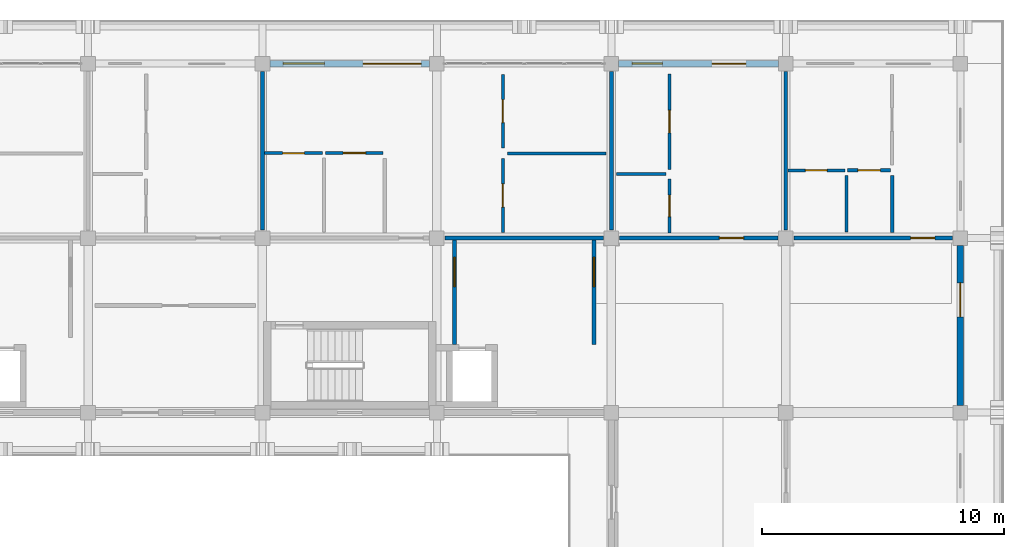
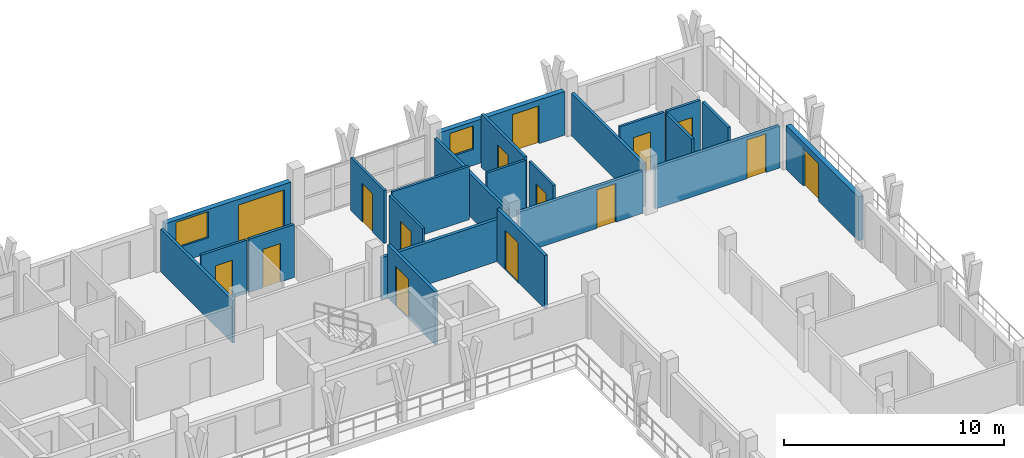
# One storey, part 60 of 78: 23 walls, 15 doors, 2 windows, 17 openings.
"""IFC4 building model written with IfcOpenShell, lengths in metres."""

import ifcopenshell
import ifcopenshell.guid

model = None  # the IFC model being written
_history = None  # IfcOwnerHistory: only IFC2X3 demands one
_inside = {}  # id of a spatial element -> (the spatial element, [elements in it])
_under = {}  # id of a project, library or spatial element -> (it, [spatial elements below it])
_declared = {}  # id of a project -> (the project, [libraries it declares])
_typed = {}  # id of a type object -> (the type object, [elements of that type])
_made_of = {}  # id of a material, layer set ... -> (it, [elements and type objects made of it])


def new_model(schema):
    """Start an empty IFC model of exactly this schema.

    Asked for "IFC4X3", IfcOpenShell would pick the latest addendum, in which some entities
    have other attributes; the version numbers below select the first issue.
    IFC2X3 requires an IfcOwnerHistory on every rooted entity: one is made here for all.
    """
    global model, _history
    if schema == "IFC4X3":
        model = ifcopenshell.file(schema_version=(4, 3, 0, 0))
    else:
        model = ifcopenshell.file(schema=schema)
    _inside.clear()
    _under.clear()
    _declared.clear()
    _typed.clear()
    _made_of.clear()
    _history = None
    if model.schema == "IFC2X3":
        org = make("IfcOrganization", Name="unknown")
        user = make(
            "IfcPersonAndOrganization",
            ThePerson=make("IfcPerson", FamilyName="unknown"),
            TheOrganization=org,
        )
        app = make(
            "IfcApplication",
            ApplicationDeveloper=org,
            Version="unknown",
            ApplicationFullName="unknown",
            ApplicationIdentifier="unknown",
        )
        _history = make(
            "IfcOwnerHistory",
            OwningUser=user,
            OwningApplication=app,
            ChangeAction="ADDED",
            CreationDate=0,
        )
    return model


def make(cls, **values):
    """One entity of the class cls with the attributes given. An attribute that is None is left unset."""
    return model.create_entity(
        cls, **{name: value for name, value in values.items() if value is not None}
    )


def rooted(cls, **values):
    """An entity with a GlobalId (a new one), such as an element, a storey or a relation."""
    return make(cls, GlobalId=ifcopenshell.guid.new(), OwnerHistory=_history, **values)


def si_unit(unit_type, name, prefix=None):
    """IfcSIUnit, for example si_unit("LENGTHUNIT", "METRE", prefix="MILLI")."""
    return make("IfcSIUnit", UnitType=unit_type, Prefix=prefix, Name=name)


def assignment(units):
    """IfcUnitAssignment: the units of a project."""
    return None if units is None else make("IfcUnitAssignment", Units=units)


def point(xyz):
    """IfcCartesianPoint."""
    return None if xyz is None else make("IfcCartesianPoint", Coordinates=xyz)


def direction(xyz):
    """IfcDirection."""
    return None if xyz is None else make("IfcDirection", DirectionRatios=xyz)


def frame(location, z_axis=None, x_axis=None):
    """IfcAxis2Placement3D, a coordinate frame: its origin and axes. An axis left out is left unset."""
    return make(
        "IfcAxis2Placement3D",
        Location=point(location),
        Axis=direction(z_axis),
        RefDirection=direction(x_axis),
    )


def frame_2d(location, x_axis=None):
    """IfcAxis2Placement2D, a coordinate frame in the plane: its origin and x axis."""
    return make(
        "IfcAxis2Placement2D", Location=point(location), RefDirection=direction(x_axis)
    )


def origin():
    """The frame at (0, 0, 0) with its axes left unset."""
    return frame((0.0, 0.0, 0.0))


def place(relative_to, where):
    """IfcLocalPlacement: puts the frame where relative to a parent placement (None: the world)."""
    return make(
        "IfcLocalPlacement", PlacementRelTo=relative_to, RelativePlacement=where
    )


def context(
    kind, dimensions, precision=None, world=None, true_north=None, identifier=None
):
    """IfcGeometricRepresentationContext, for example the 3D "Model" context."""
    return make(
        "IfcGeometricRepresentationContext",
        ContextIdentifier=identifier,
        ContextType=kind,
        CoordinateSpaceDimension=dimensions,
        Precision=precision,
        WorldCoordinateSystem=world,
        TrueNorth=true_north,
    )


def subcontext(parent, identifier, kind, view, scale=None):
    """IfcGeometricRepresentationSubContext, for example "Body" below "Model"."""
    return make(
        "IfcGeometricRepresentationSubContext",
        ContextIdentifier=identifier,
        ContextType=kind,
        ParentContext=parent,
        TargetScale=scale,
        TargetView=view,
    )


def project(units=None, contexts=None):
    """IfcProject with its units and contexts."""
    return rooted(
        "IfcProject",
        Name="project",
        RepresentationContexts=contexts,
        UnitsInContext=assignment(units),
    )


def spatial(cls, under=None, at=None, **own):
    """A site, building, storey or space (cls), placed at a placement, below another one or the project."""
    s = rooted(cls, ObjectPlacement=at, **own)
    if under is not None:
        _under.setdefault(under.id(), (under, []))[1].append(s)
    return s


def profile(cls, at=None, kind="AREA", **sizes):
    """A parametric profile (cls). Its sizes go by their IFC names, for example OverallWidth=200.0."""
    return make(cls, ProfileType=kind, Position=at, **sizes)


def rectangle(**sizes):
    """IfcRectangleProfileDef."""
    return profile("IfcRectangleProfileDef", **sizes)


def extrude(swept, where, along, depth):
    """IfcExtrudedAreaSolid: the profile swept, set in the frame where, extruded along a direction by depth."""
    return make(
        "IfcExtrudedAreaSolid",
        SweptArea=swept,
        Position=where,
        ExtrudedDirection=direction(along),
        Depth=depth,
    )


def shape(context_of_items, identifier, shape_type, items):
    """IfcShapeRepresentation: the items that make up one representation, for example the "Body"."""
    return make(
        "IfcShapeRepresentation",
        ContextOfItems=context_of_items,
        RepresentationIdentifier=identifier,
        RepresentationType=shape_type,
        Items=items,
    )


def material(Name=None, Category=None):
    """IfcMaterial."""
    return make("IfcMaterial", Name=Name, Category=Category)


def layer(
    of_material, thickness, ventilated=None, Name=None, Category=None, Priority=None
):
    """IfcMaterialLayer: one layer of a wall or slab, of a material (None: an air gap)."""
    return make(
        "IfcMaterialLayer",
        Material=of_material,
        LayerThickness=thickness,
        IsVentilated=ventilated,
        Name=Name,
        Category=Category,
        Priority=Priority,
    )


def layer_set(layers, Name=None):
    """IfcMaterialLayerSet."""
    return make("IfcMaterialLayerSet", MaterialLayers=layers, LayerSetName=Name)


def made_of(thing, what):
    """Note that an element or type object is made of a material, layer set ...; save() writes the relation."""
    if what is not None:
        _made_of.setdefault(what.id(), (what, []))[1].append(thing)
    return thing


def type_object(cls, material=None, **own):
    """A type object (cls), such as IfcWallType, which elements share."""
    return made_of(rooted(cls, **own), material)


def element(
    cls,
    number,
    at=None,
    inside=None,
    cuts=None,
    type_object=None,
    material=None,
    context=None,
    identifier="Body",
    shape_type=None,
    held_by="IfcProductDefinitionShape",
    body=None,
    shapes=None,
    **own,
):
    """One element of the class cls, such as IfcWall. Its Tag is "e" and its number.

    at: its placement. inside: the storey or other place that contains it. cuts: it is an
    opening in that element (IfcRelVoidsElement). A single representation is given by context,
    identifier, shape_type and body (its items); several are given by shapes. held_by: the class
    of the entity that holds the representations. save() writes the other relations.
    """
    e = rooted(cls, Tag="e%d" % number, ObjectPlacement=at, **own)
    if body is not None:
        shapes = [shape(context, identifier, shape_type, body)]
    if shapes is not None:
        e.Representation = make(held_by, Representations=shapes)
    if inside is not None:
        _inside.setdefault(inside.id(), (inside, []))[1].append(e)
    if cuts is not None:
        rooted(
            "IfcRelVoidsElement", RelatingBuildingElement=cuts, RelatedOpeningElement=e
        )
    if type_object is not None:
        _typed.setdefault(type_object.id(), (type_object, []))[1].append(e)
    return made_of(e, material)


def fill(opening, filler):
    """IfcRelFillsElement: the door or window that sits in an opening."""
    return rooted(
        "IfcRelFillsElement",
        RelatingOpeningElement=opening,
        RelatedBuildingElement=filler,
    )


def aggregate(whole, parts):
    """IfcRelAggregates: a whole, such as a stair, and the parts it consists of."""
    return rooted("IfcRelAggregates", RelatingObject=whole, RelatedObjects=parts)


def save(model, path):
    """Write the relations noted so far, then the file.

    IfcRelAggregates (storeys below a building ...), IfcRelContainedInSpatialStructure (elements
    in a storey), IfcRelDefinesByType, IfcRelAssociatesMaterial and IfcRelDeclares: one each for
    every whole, place, type object, material and project.
    """
    for whole, parts in _under.values():
        aggregate(whole, parts)
    for where, things in _inside.values():
        rooted(
            "IfcRelContainedInSpatialStructure",
            RelatedElements=things,
            RelatingStructure=where,
        )
    for kind, things in _typed.values():
        rooted("IfcRelDefinesByType", RelatedObjects=things, RelatingType=kind)
    for what, things in _made_of.values():
        rooted("IfcRelAssociatesMaterial", RelatedObjects=things, RelatingMaterial=what)
    for by, libraries in _declared.values():
        rooted("IfcRelDeclares", RelatingContext=by, RelatedDefinitions=libraries)
    model.write(path)


model = new_model("IFC4")

# Units and contexts
model_context = context("Model", 3, precision=1e-05, world=origin(), true_north=direction((0.0, 1.0)))
body_context = subcontext(model_context, "Body", "Model", "MODEL_VIEW")
ifc_project = project(units=[si_unit("LENGTHUNIT", "METRE"), si_unit("AREAUNIT", "SQUARE_METRE"), si_unit("VOLUMEUNIT", "CUBIC_METRE"), si_unit("PLANEANGLEUNIT", "RADIAN"), si_unit("MASSUNIT", "GRAM", prefix="KILO")], contexts=[model_context])

# Site, building, storey
site_placement = place(None, origin())
site = spatial("IfcSite", under=ifc_project, at=site_placement, CompositionType="ELEMENT")
building_placement = place(site_placement, origin())
building = spatial("IfcBuilding", under=site, at=building_placement, Name="Suanplinth Sawtooth Commons", CompositionType="ELEMENT")
storey_placement = place(building_placement, frame((0.0, 0.0, 15.39990234375)))
storey = spatial("IfcBuildingStorey", under=building, at=storey_placement, Name="L04", CompositionType="ELEMENT", Elevation=15.39990234375)

# Wall, openings, door, window
ifc_material_1 = material(Name="Precast concrete C40/50", Category="concrete")
ifc_layer_1 = layer(ifc_material_1, 0.260009765625, Name="Insulated precast courtyard facade wall 260mm")
ifc_layer_set_1 = layer_set([ifc_layer_1], Name="Precast concrete C40/50")
wall_type_1 = type_object("IfcWallType", Name="W-EX02", PredefinedType="ELEMENTEDWALL", material=ifc_layer_set_1)
wall_1_placement = place(storey_placement, frame((158.699951171875, 122.39990234375, 0.0), z_axis=(0.0, 0.0, 1.0), x_axis=(1.0, 0.0, 0.0)))
wall_1 = element("IfcWall", 1, at=wall_1_placement, inside=storey, type_object=wall_type_1, Name="Facade Wall W-L04-B-N-22-16", PredefinedType="ELEMENTEDWALL", context=body_context, shape_type="SweptSolid", body=[
    extrude(rectangle(XDim=6.60009765625, YDim=0.260009765625, at=frame_2d((3.300048828125, 0.0))), origin(), (0.0, 0.0, 1.0), 2.43017578125),
])
opening_1_placement = place(wall_1_placement, frame((3.85009765625, 0.0, 0.0)))
opening_1 = element("IfcOpeningElement", 2, at=opening_1_placement, cuts=wall_1, Name="Opening ED0343", PredefinedType="OPENING", context=body_context, shape_type="SweptSolid", body=[
    extrude(rectangle(XDim=2.39990234375, YDim=2.1201171875, at=frame_2d((1.199951171875, 1.06005859375))), frame((0.0, 0.14501953125, 0.0), z_axis=(0.0, -1.0, 0.0), x_axis=(1.0, 0.0, 0.0)), (0.0, 0.0, 1.0), 0.289794921875),
])
opening_2_placement = place(wall_1_placement, frame((0.550048828125, 0.0, 0.860107421875)))
opening_2 = element("IfcOpeningElement", 3, at=opening_2_placement, cuts=wall_1, Name="Opening W0444", PredefinedType="OPENING", context=body_context, shape_type="SweptSolid", body=[
    extrude(rectangle(XDim=1.699951171875, YDim=1.449951171875, at=frame_2d((0.85009765625, 0.72509765625))), frame((0.0, 0.14501953125, 0.0), z_axis=(0.0, -1.0, 0.0), x_axis=(1.0, 0.0, 0.0)), (0.0, 0.0, 1.0), 0.289794921875),
])
ifc_material_2 = material(Name="Anodized aluminium and low-E glass", Category="aluminium")
door_type_1 = type_object("IfcDoorType", Name="SD-04", OperationType="DOUBLE_DOOR_SLIDING", PredefinedType="DOOR", material=ifc_material_2)
door_1_placement = place(opening_1_placement, frame((2.39990234375, 0.0, 0.0), z_axis=(0.0, 0.0, 1.0), x_axis=(-1.0, 0.0, 0.0)))
door_1 = element("IfcDoor", 4, at=door_1_placement, inside=storey, type_object=door_type_1, Name="Balcony Sliding Door L04-B-22", OperationType="DOUBLE_DOOR_SLIDING", OverallHeight=2.1201171875, OverallWidth=2.39990234375, PredefinedType="DOOR", context=body_context, shape_type="SweptSolid", body=[
    extrude(rectangle(XDim=2.39990234375, YDim=2.1201171875, at=frame_2d((1.199951171875, 1.06005859375))), frame((0.0, 0.02490234375, 0.0), z_axis=(0.0, -1.0, 0.0), x_axis=(1.0, 0.0, 0.0)), (0.0, 0.0, 1.0), 0.050048828125),
])
fill(opening_1, door_1)
ifc_material_3 = material(Name="Thermally broken aluminium and low-E double glazing", Category="aluminium")
window_type_1 = type_object("IfcWindowType", Name="WN-15", PartitioningType="DOUBLE_PANEL_VERTICAL", PredefinedType="WINDOW", material=ifc_material_3)
window_1_placement = place(opening_2_placement, origin())
window_1 = element("IfcWindow", 5, at=window_1_placement, inside=storey, type_object=window_type_1, Name="Apartment Window L04-B-22", OverallHeight=1.449951171875, OverallWidth=1.699951171875, PartitioningType="DOUBLE_PANEL_VERTICAL", PredefinedType="WINDOW", context=body_context, shape_type="SweptSolid", body=[
    extrude(rectangle(XDim=1.699951171875, YDim=1.449951171875, at=frame_2d((0.85009765625, 0.72509765625))), frame((0.0, 0.030029296875, 0.0), z_axis=(0.0, -1.0, 0.0), x_axis=(1.0, 0.0, 0.0)), (0.0, 0.0, 1.0), 0.06005859375),
])
fill(opening_2, window_1)

wall_2_placement = place(storey_placement, frame((173.10009765625, 122.39990234375, 0.0), z_axis=(0.0, 0.0, 1.0), x_axis=(1.0, 0.0, 0.0)))
wall_2 = element("IfcWall", 6, at=wall_2_placement, inside=storey, type_object=wall_type_1, Name="Facade Wall W-L04-B-N-24-16", PredefinedType="ELEMENTEDWALL", context=body_context, shape_type="SweptSolid", body=[
    extrude(rectangle(XDim=6.599853515625, YDim=0.260009765625, at=frame_2d((3.2998046875, 0.0))), origin(), (0.0, 0.0, 1.0), 2.43017578125),
])
opening_3_placement = place(wall_2_placement, frame((3.85009765625, 0.0, 0.0)))
opening_3 = element("IfcOpeningElement", 7, at=opening_3_placement, cuts=wall_2, Name="Opening ED0348", PredefinedType="OPENING", context=body_context, shape_type="SweptSolid", body=[
    extrude(rectangle(XDim=1.39990234375, YDim=2.10009765625, at=frame_2d((0.699951171875, 1.050048828125))), frame((0.0, 0.14501953125, 0.0), z_axis=(0.0, -1.0, 0.0), x_axis=(1.0, 0.0, 0.0)), (0.0, 0.0, 1.0), 0.289794921875),
])
opening_4_placement = place(wall_2_placement, frame((0.550048828125, 0.0, 0.89990234375)))
opening_4 = element("IfcOpeningElement", 8, at=opening_4_placement, cuts=wall_2, Name="Opening W0447", PredefinedType="OPENING", context=body_context, shape_type="SweptSolid", body=[
    extrude(rectangle(XDim=1.25, YDim=1.300048828125, at=frame_2d((0.625, 0.64990234375))), frame((0.0, 0.14501953125, 0.0), z_axis=(0.0, -1.0, 0.0), x_axis=(1.0, 0.0, 0.0)), (0.0, 0.0, 1.0), 0.289794921875),
])
door_type_2 = type_object("IfcDoorType", Name="SD-07", OperationType="SLIDING_TO_RIGHT", PredefinedType="DOOR", material=ifc_material_2)
door_2_placement = place(opening_3_placement, frame((1.39990234375, 0.0, 0.0), z_axis=(0.0, 0.0, 1.0), x_axis=(-1.0, 0.0, 0.0)))
door_2 = element("IfcDoor", 9, at=door_2_placement, inside=storey, type_object=door_type_2, Name="Balcony Sliding Door L04-B-24", OperationType="SLIDING_TO_RIGHT", OverallHeight=2.10009765625, OverallWidth=1.39990234375, PredefinedType="DOOR", context=body_context, shape_type="SweptSolid", body=[
    extrude(rectangle(XDim=1.39990234375, YDim=2.10009765625, at=frame_2d((0.699951171875, 1.050048828125))), frame((0.0, 0.02490234375, 0.0), z_axis=(0.0, -1.0, 0.0), x_axis=(1.0, 0.0, 0.0)), (0.0, 0.0, 1.0), 0.050048828125),
])
fill(opening_3, door_2)
window_type_2 = type_object("IfcWindowType", Name="WN-17", PartitioningType="SINGLE_PANEL", PredefinedType="WINDOW", material=ifc_material_3)
window_2_placement = place(opening_4_placement, origin())
window_2 = element("IfcWindow", 10, at=window_2_placement, inside=storey, type_object=window_type_2, Name="Apartment Window L04-B-24", OverallHeight=1.300048828125, OverallWidth=1.25, PartitioningType="SINGLE_PANEL", PredefinedType="WINDOW", context=body_context, shape_type="SweptSolid", body=[
    extrude(rectangle(XDim=1.25, YDim=1.300048828125, at=frame_2d((0.625, 0.64990234375))), frame((0.0, 0.030029296875, 0.0), z_axis=(0.0, -1.0, 0.0), x_axis=(1.0, 0.0, 0.0)), (0.0, 0.0, 1.0), 0.06005859375),
])
fill(opening_4, window_2)

# Wall, opening, door
wall_3_placement = place(storey_placement, frame((187.199951171875, 108.300048828125, 0.0), z_axis=(0.0, 0.0, 1.0), x_axis=(0.0, 1.0, 0.0)))
wall_3 = element("IfcWall", 11, at=wall_3_placement, inside=storey, type_object=wall_type_1, Name="Facade Wall W-L04-B-E-25-15", PredefinedType="ELEMENTEDWALL", context=body_context, shape_type="SweptSolid", body=[
    extrude(rectangle(XDim=6.599853515625, YDim=0.260009765625, at=frame_2d((3.2998046875, 0.0))), origin(), (0.0, 0.0, 1.0), 2.43017578125),
])
opening_5_placement = place(wall_3_placement, frame((3.64990234375, 0.0, 0.0)))
opening_5 = element("IfcOpeningElement", 12, at=opening_5_placement, cuts=wall_3, Name="Opening ED0354", PredefinedType="OPENING", context=body_context, shape_type="SweptSolid", body=[
    extrude(rectangle(XDim=1.39990234375, YDim=2.10009765625, at=frame_2d((0.699951171875, 1.050048828125))), frame((0.0, 0.14501953125, 0.0), z_axis=(0.0, -1.0, 0.0), x_axis=(1.0, 0.0, 0.0)), (0.0, 0.0, 1.0), 0.289794921875),
])
door_3_placement = place(opening_5_placement, frame((1.39990234375, 0.0, 0.0), z_axis=(0.0, 0.0, 1.0), x_axis=(-1.0, 0.0, 0.0)))
door_3 = element("IfcDoor", 13, at=door_3_placement, inside=storey, type_object=door_type_2, Name="End Balcony Sliding Door L04-B-E-25-15", OperationType="SLIDING_TO_RIGHT", OverallHeight=2.10009765625, OverallWidth=1.39990234375, PredefinedType="DOOR", context=body_context, shape_type="SweptSolid", body=[
    extrude(rectangle(XDim=1.39990234375, YDim=2.10009765625, at=frame_2d((0.699951171875, 1.050048828125))), frame((0.0, 0.02490234375, 0.0), z_axis=(0.0, -1.0, 0.0), x_axis=(1.0, 0.0, 0.0)), (0.0, 0.0, 1.0), 0.050048828125),
])
fill(opening_5, door_3)

ifc_layer_2 = layer(ifc_material_1, 0.159912109375, Name="Fire-rated corridor and lobby wall 160mm")
ifc_layer_set_2 = layer_set([ifc_layer_2], Name="Precast concrete C40/50")
wall_type_2 = type_object("IfcWallType", Name="W-FW01", PredefinedType="PARTITIONING", material=ifc_layer_set_2)
wall_4_placement = place(storey_placement, frame((166.320068359375, 110.800048828125, 0.0), z_axis=(0.0, 0.0, 1.0), x_axis=(0.0, 1.0, 0.0)))
wall_4 = element("IfcWall", 14, at=wall_4_placement, inside=storey, type_object=wall_type_2, Name="W-L04-C-B2-LOB-W", PredefinedType="PARTITIONING", context=body_context, shape_type="SweptSolid", body=[
    extrude(rectangle(XDim=4.320068359375, YDim=0.159912109375, at=frame_2d((2.16015625, 0.0))), origin(), (0.0, 0.0, 1.0), 2.9501953125),
])
opening_6_placement = place(wall_4_placement, frame((2.39990234375, 0.0, 0.0)))
opening_6 = element("IfcOpeningElement", 15, at=opening_6_placement, cuts=wall_4, Name="Opening FD0241", PredefinedType="OPENING", context=body_context, shape_type="SweptSolid", body=[
    extrude(rectangle(XDim=1.199951171875, YDim=2.199951171875, at=frame_2d((0.60009765625, 1.10009765625))), frame((0.0, 0.0947265625, 0.0), z_axis=(0.0, -1.0, 0.0), x_axis=(1.0, 0.0, 0.0)), (0.0, 0.0, 1.0), 0.189697265625),
])
ifc_material_4 = material(Name="Teak hardwood fire-rated door assembly", Category="wood")
door_type_3 = type_object("IfcDoorType", Name="FD-02", OperationType="NOTDEFINED", PredefinedType="DOOR", material=ifc_material_4)
door_4_placement = place(opening_6_placement, origin())
door_4 = element("IfcDoor", 16, at=door_4_placement, inside=storey, type_object=door_type_3, Name="Lobby Fire Door FD0241", OperationType="SINGLE_SWING_LEFT", OverallHeight=2.199951171875, OverallWidth=1.199951171875, PredefinedType="DOOR", context=body_context, shape_type="SweptSolid", body=[
    extrude(rectangle(XDim=1.199951171875, YDim=2.199951171875, at=frame_2d((0.60009765625, 1.10009765625))), frame((0.0, 0.02490234375, 0.0), z_axis=(0.0, -1.0, 0.0), x_axis=(1.0, 0.0, 0.0)), (0.0, 0.0, 1.0), 0.050048828125),
])
fill(opening_6, door_4)

wall_5_placement = place(storey_placement, frame((172.080078125, 110.800048828125, 0.0), z_axis=(0.0, 0.0, 1.0), x_axis=(0.0, 1.0, 0.0)))
wall_5 = element("IfcWall", 17, at=wall_5_placement, inside=storey, type_object=wall_type_2, Name="W-L04-C-B2-LOB-E", PredefinedType="PARTITIONING", context=body_context, shape_type="SweptSolid", body=[
    extrude(rectangle(XDim=4.320068359375, YDim=0.159912109375, at=frame_2d((2.16015625, 0.0))), origin(), (0.0, 0.0, 1.0), 2.9501953125),
])
opening_7_placement = place(wall_5_placement, frame((2.39990234375, 0.0, 0.0)))
opening_7 = element("IfcOpeningElement", 18, at=opening_7_placement, cuts=wall_5, Name="Opening FD0242", PredefinedType="OPENING", context=body_context, shape_type="SweptSolid", body=[
    extrude(rectangle(XDim=1.199951171875, YDim=2.199951171875, at=frame_2d((0.60009765625, 1.10009765625))), frame((0.0, 0.0947265625, 0.0), z_axis=(0.0, -1.0, 0.0), x_axis=(1.0, 0.0, 0.0)), (0.0, 0.0, 1.0), 0.189697265625),
])
door_5_placement = place(opening_7_placement, frame((1.199951171875, 0.0, 0.0), z_axis=(0.0, 0.0, 1.0), x_axis=(-1.0, 0.0, 0.0)))
door_5 = element("IfcDoor", 19, at=door_5_placement, inside=storey, type_object=door_type_3, Name="Lobby Fire Door FD0242", OperationType="SINGLE_SWING_RIGHT", OverallHeight=2.199951171875, OverallWidth=1.199951171875, PredefinedType="DOOR", context=body_context, shape_type="SweptSolid", body=[
    extrude(rectangle(XDim=1.199951171875, YDim=2.199951171875, at=frame_2d((0.60009765625, 1.10009765625))), frame((0.0, 0.02490234375, 0.0), z_axis=(0.0, -1.0, 0.0), x_axis=(1.0, 0.0, 0.0)), (0.0, 0.0, 1.0), 0.050048828125),
])
fill(opening_7, door_5)

# Wall
wall_6_placement = place(storey_placement, frame((165.929931640625, 115.199951171875, 0.0), z_axis=(0.0, 0.0, 1.0), x_axis=(1.0, 0.0, 0.0)))
element("IfcWall", 20, at=wall_6_placement, inside=storey, type_object=wall_type_2, Name="W-B-L04-U05-COR-S2", PredefinedType="PARTITIONING", context=body_context, shape_type="SweptSolid", body=[
    extrude(rectangle(XDim=6.5400390625, YDim=0.159912109375, at=frame_2d((3.27001953125, 0.0))), origin(), (0.0, 0.0, 1.0), 2.335205078125),
])

# Wall, opening, door
wall_7_placement = place(storey_placement, frame((173.1298828125, 115.199951171875, 0.0), z_axis=(0.0, 0.0, 1.0), x_axis=(1.0, 0.0, 0.0)))
wall_7 = element("IfcWall", 21, at=wall_7_placement, inside=storey, type_object=wall_type_2, Name="W-B-L04-U06-COR", PredefinedType="PARTITIONING", context=body_context, shape_type="SweptSolid", body=[
    extrude(rectangle(XDim=6.5400390625, YDim=0.159912109375, at=frame_2d((3.27001953125, 0.0))), origin(), (0.0, 0.0, 1.0), 2.335205078125),
])
opening_8_placement = place(wall_7_placement, frame((4.1201171875, 0.0, 0.0)))
opening_8 = element("IfcOpeningElement", 22, at=opening_8_placement, cuts=wall_7, Name="Opening FD1112", PredefinedType="OPENING", context=body_context, shape_type="SweptSolid", body=[
    extrude(rectangle(XDim=1.0, YDim=2.14990234375, at=frame_2d((0.5, 1.074951171875))), frame((0.0, 0.0947265625, 0.0), z_axis=(0.0, -1.0, 0.0), x_axis=(1.0, 0.0, 0.0)), (0.0, 0.0, 1.0), 0.189697265625),
])
door_type_4 = type_object("IfcDoorType", Name="FD-03", OperationType="NOTDEFINED", PredefinedType="DOOR", material=ifc_material_4)
door_6_placement = place(opening_8_placement, origin())
door_6 = element("IfcDoor", 23, at=door_6_placement, inside=storey, type_object=door_type_4, Name="Unit Entrance Door FD1112", OperationType="SINGLE_SWING_RIGHT", OverallHeight=2.14990234375, OverallWidth=1.0, PredefinedType="DOOR", context=body_context, shape_type="SweptSolid", body=[
    extrude(rectangle(XDim=1.0, YDim=2.14990234375, at=frame_2d((0.5, 1.074951171875))), frame((0.0, 0.02490234375, 0.0), z_axis=(0.0, -1.0, 0.0), x_axis=(1.0, 0.0, 0.0)), (0.0, 0.0, 1.0), 0.050048828125),
])
fill(opening_8, door_6)

wall_8_placement = place(storey_placement, frame((180.330078125, 115.199951171875, 0.0), z_axis=(0.0, 0.0, 1.0), x_axis=(1.0, 0.0, 0.0)))
wall_8 = element("IfcWall", 24, at=wall_8_placement, inside=storey, type_object=wall_type_2, Name="W-B-L04-U07-COR", PredefinedType="PARTITIONING", context=body_context, shape_type="SweptSolid", body=[
    extrude(rectangle(XDim=6.5400390625, YDim=0.159912109375, at=frame_2d((3.27001953125, 0.0))), origin(), (0.0, 0.0, 1.0), 2.335205078125),
])
opening_9_placement = place(wall_8_placement, frame((4.820068359375, 0.0, 0.0)))
opening_9 = element("IfcOpeningElement", 25, at=opening_9_placement, cuts=wall_8, Name="Opening FD1115", PredefinedType="OPENING", context=body_context, shape_type="SweptSolid", body=[
    extrude(rectangle(XDim=1.0, YDim=2.14990234375, at=frame_2d((0.5, 1.074951171875))), frame((0.0, 0.0947265625, 0.0), z_axis=(0.0, -1.0, 0.0), x_axis=(1.0, 0.0, 0.0)), (0.0, 0.0, 1.0), 0.189697265625),
])
door_7_placement = place(opening_9_placement, origin())
door_7 = element("IfcDoor", 26, at=door_7_placement, inside=storey, type_object=door_type_4, Name="Unit Entrance Door FD1115", OperationType="SINGLE_SWING_LEFT", OverallHeight=2.14990234375, OverallWidth=1.0, PredefinedType="DOOR", context=body_context, shape_type="SweptSolid", body=[
    extrude(rectangle(XDim=1.0, YDim=2.14990234375, at=frame_2d((0.5, 1.074951171875))), frame((0.0, 0.02490234375, 0.0), z_axis=(0.0, -1.0, 0.0), x_axis=(1.0, 0.0, 0.0)), (0.0, 0.0, 1.0), 0.050048828125),
])
fill(opening_9, door_7)

# Walls
ifc_layer_3 = layer(ifc_material_1, 0.14990234375, Name="Acoustic precast party demising wall 150mm")
ifc_layer_set_3 = layer_set([ifc_layer_3], Name="Precast concrete C40/50")
wall_type_3 = type_object("IfcWallType", Name="W-FW02", PredefinedType="PARTITIONING", material=ifc_layer_set_3)
for number, where, z_axis, x_axis, name in (
    (27, (158.39990234375, 115.530029296875, 0.0), (0.0, 0.0, 1.0), (0.0, 1.0, 0.0), "W-B-L04-U04-PTY"),
    (28, (172.800048828125, 115.530029296875, 0.0), (0.0, 0.0, 1.0), (0.0, 1.0, 0.0), "W-B-L04-U05-PTY"),
    (29, (180.0, 115.530029296875, 0.0), (0.0, 0.0, 1.0), (0.0, 1.0, 0.0), "W-B-L04-U06-PTY"),
):
    element("IfcWall", number, at=place(storey_placement, frame(where, z_axis=z_axis, x_axis=x_axis)), inside=storey, type_object=wall_type_3, Name=name, PredefinedType="PARTITIONING", context=body_context, shape_type="SweptSolid", body=[
        extrude(rectangle(XDim=6.5400390625, YDim=0.14990234375, at=frame_2d((3.27001953125, 0.0))), origin(), (0.0, 0.0, 1.0), 2.385009765625),
    ])

# Wall, opening, door
ifc_material_5 = material(Name="Gypsum plasterboard on steel stud", Category="steel")
ifc_layer_4 = layer(ifc_material_5, 0.139892578125, Name="Fire-rated kitchen partition 140mm")
ifc_layer_set_4 = layer_set([ifc_layer_4], Name="Gypsum plasterboard on steel stud")
wall_type_4 = type_object("IfcWallType", Name="W-PT01", PredefinedType="PARTITIONING", material=ifc_layer_set_4)
wall_9_placement = place(storey_placement, frame((161.0, 118.7099609375, 0.0), z_axis=(0.0, 0.0, 1.0), x_axis=(1.0, 0.0, 0.0)))
wall_9 = element("IfcWall", 30, at=wall_9_placement, inside=storey, type_object=wall_type_4, Name="W-B-L04-U05-KIT1", PredefinedType="PARTITIONING", context=body_context, shape_type="SweptSolid", body=[
    extrude(rectangle(XDim=2.3798828125, YDim=0.139892578125, at=frame_2d((1.18994140625, 0.0))), origin(), (0.0, 0.0, 1.0), 2.9501953125),
])
opening_10_placement = place(wall_9_placement, frame((0.72509765625, 0.0, 0.0)))
opening_10 = element("IfcOpeningElement", 31, at=opening_10_placement, cuts=wall_9, Name="Opening D1109", PredefinedType="OPENING", context=body_context, shape_type="SweptSolid", body=[
    extrude(rectangle(XDim=0.929931640625, YDim=2.139892578125, at=frame_2d((0.46484375, 1.06982421875))), frame((0.0, 0.0849609375, 0.0), z_axis=(0.0, -1.0, 0.0), x_axis=(1.0, 0.0, 0.0)), (0.0, 0.0, 1.0), 0.169677734375),
])
ifc_material_6 = material(Name="Teak hardwood", Category="wood")
door_type_5 = type_object("IfcDoorType", Name="D-19", OperationType="NOTDEFINED", PredefinedType="DOOR", material=ifc_material_6)
door_8_placement = place(opening_10_placement, frame((0.929931640625, 0.0, 0.0), z_axis=(0.0, 0.0, 1.0), x_axis=(-1.0, 0.0, 0.0)))
door_8 = element("IfcDoor", 32, at=door_8_placement, inside=storey, type_object=door_type_5, Name="Kitchen Door D1109", OperationType="SINGLE_SWING_LEFT", OverallHeight=2.139892578125, OverallWidth=0.929931640625, PredefinedType="DOOR", context=body_context, shape_type="SweptSolid", body=[
    extrude(rectangle(XDim=0.929931640625, YDim=2.139892578125, at=frame_2d((0.46484375, 1.06982421875))), frame((0.0, 0.02490234375, 0.0), z_axis=(0.0, -1.0, 0.0), x_axis=(1.0, 0.0, 0.0)), (0.0, 0.0, 1.0), 0.050048828125),
])
fill(opening_10, door_8)

wall_10_placement = place(storey_placement, frame((175.195068359375, 118.0400390625, 0.0), z_axis=(0.0, 0.0, 1.0), x_axis=(0.0, 1.0, 0.0)))
wall_10 = element("IfcWall", 33, at=wall_10_placement, inside=storey, type_object=wall_type_4, Name="W-B-L04-U06-KITE", PredefinedType="PARTITIONING", context=body_context, shape_type="SweptSolid", body=[
    extrude(rectangle(XDim=3.93994140625, YDim=0.139892578125, at=frame_2d((1.969970703125, 0.0))), origin(), (0.0, 0.0, 1.0), 2.9501953125),
])
opening_11_placement = place(wall_10_placement, frame((1.5048828125, 0.0, 0.0)))
opening_11 = element("IfcOpeningElement", 34, at=opening_11_placement, cuts=wall_10, Name="Opening D1114", PredefinedType="OPENING", context=body_context, shape_type="SweptSolid", body=[
    extrude(rectangle(XDim=0.929931640625, YDim=2.139892578125, at=frame_2d((0.46484375, 1.06982421875))), frame((0.0, 0.0849609375, 0.0), z_axis=(0.0, -1.0, 0.0), x_axis=(1.0, 0.0, 0.0)), (0.0, 0.0, 1.0), 0.169677734375),
])
door_9_placement = place(opening_11_placement, origin())
door_9 = element("IfcDoor", 35, at=door_9_placement, inside=storey, type_object=door_type_5, Name="Kitchen Door D1114", OperationType="SINGLE_SWING_RIGHT", OverallHeight=2.139892578125, OverallWidth=0.929931640625, PredefinedType="DOOR", context=body_context, shape_type="SweptSolid", body=[
    extrude(rectangle(XDim=0.929931640625, YDim=2.139892578125, at=frame_2d((0.46484375, 1.06982421875))), frame((0.0, 0.02490234375, 0.0), z_axis=(0.0, -1.0, 0.0), x_axis=(1.0, 0.0, 0.0)), (0.0, 0.0, 1.0), 0.050048828125),
])
fill(opening_11, door_9)

wall_11_placement = place(storey_placement, frame((182.550048828125, 118.0, 0.0), z_axis=(0.0, 0.0, 1.0), x_axis=(1.0, 0.0, 0.0)))
wall_11 = element("IfcWall", 36, at=wall_11_placement, inside=storey, type_object=wall_type_4, Name="W-B-L04-U07-KIT1", PredefinedType="PARTITIONING", context=body_context, shape_type="SweptSolid", body=[
    extrude(rectangle(XDim=1.77001953125, YDim=0.139892578125, at=frame_2d((0.885009765625, 0.0))), origin(), (0.0, 0.0, 1.0), 2.9501953125),
])
opening_12_placement = place(wall_11_placement, frame((0.419921875, 0.0, 0.0)))
opening_12 = element("IfcOpeningElement", 37, at=opening_12_placement, cuts=wall_11, Name="Opening D1117", PredefinedType="OPENING", context=body_context, shape_type="SweptSolid", body=[
    extrude(rectangle(XDim=0.929931640625, YDim=2.139892578125, at=frame_2d((0.46484375, 1.06982421875))), frame((0.0, 0.0849609375, 0.0), z_axis=(0.0, -1.0, 0.0), x_axis=(1.0, 0.0, 0.0)), (0.0, 0.0, 1.0), 0.169677734375),
])
door_10_placement = place(opening_12_placement, frame((0.929931640625, 0.0, 0.0), z_axis=(0.0, 0.0, 1.0), x_axis=(-1.0, 0.0, 0.0)))
door_10 = element("IfcDoor", 38, at=door_10_placement, inside=storey, type_object=door_type_5, Name="Kitchen Door D1117", OperationType="SINGLE_SWING_LEFT", OverallHeight=2.139892578125, OverallWidth=0.929931640625, PredefinedType="DOOR", context=body_context, shape_type="SweptSolid", body=[
    extrude(rectangle(XDim=0.929931640625, YDim=2.139892578125, at=frame_2d((0.46484375, 1.06982421875))), frame((0.0, 0.02490234375, 0.0), z_axis=(0.0, -1.0, 0.0), x_axis=(1.0, 0.0, 0.0)), (0.0, 0.0, 1.0), 0.050048828125),
])
fill(opening_12, door_10)

# Wall
wall_12_placement = place(storey_placement, frame((184.389892578125, 115.429931640625, 0.0), z_axis=(0.0, 0.0, 1.0), x_axis=(0.0, 1.0, 0.0)))
element("IfcWall", 39, at=wall_12_placement, inside=storey, type_object=wall_type_4, Name="W-B-L04-U07-KIT2", PredefinedType="PARTITIONING", context=body_context, shape_type="SweptSolid", body=[
    extrude(rectangle(XDim=2.35009765625, YDim=0.139892578125, at=frame_2d((1.175048828125, 0.0))), origin(), (0.0, 0.0, 1.0), 2.9501953125),
])

# Wall, opening, door
ifc_layer_5 = layer(ifc_material_5, 0.1298828125, Name="Moisture-resistant bathroom partition 130mm")
ifc_layer_set_5 = layer_set([ifc_layer_5], Name="Gypsum plasterboard on steel stud")
wall_type_5 = type_object("IfcWallType", Name="W-PT02", PredefinedType="PARTITIONING", material=ifc_layer_set_5)
wall_13_placement = place(storey_placement, frame((158.47998046875, 118.705078125, 0.0), z_axis=(0.0, 0.0, 1.0), x_axis=(1.0, 0.0, 0.0)))
wall_13 = element("IfcWall", 40, at=wall_13_placement, inside=storey, type_object=wall_type_5, Name="W-B-L04-U05-BTH1", PredefinedType="PARTITIONING", context=body_context, shape_type="SweptSolid", body=[
    extrude(rectangle(XDim=2.39990234375, YDim=0.1298828125, at=frame_2d((1.199951171875, 0.0))), origin(), (0.0, 0.0, 1.0), 2.9501953125),
])
opening_13_placement = place(wall_13_placement, frame((0.75, 0.0, 0.0)))
opening_13 = element("IfcOpeningElement", 41, at=opening_13_placement, cuts=wall_13, Name="Opening D1108", PredefinedType="OPENING", context=body_context, shape_type="SweptSolid", body=[
    extrude(rectangle(XDim=0.89990234375, YDim=2.10009765625, at=frame_2d((0.449951171875, 1.050048828125))), frame((0.0, 0.079833984375, 0.0), z_axis=(0.0, -1.0, 0.0), x_axis=(1.0, 0.0, 0.0)), (0.0, 0.0, 1.0), 0.15966796875),
])
door_type_6 = type_object("IfcDoorType", Name="D-01", OperationType="NOTDEFINED", PredefinedType="DOOR", material=ifc_material_6)
door_11_placement = place(opening_13_placement, frame((0.89990234375, 0.0, 0.0), z_axis=(0.0, 0.0, 1.0), x_axis=(-1.0, 0.0, 0.0)))
door_11 = element("IfcDoor", 42, at=door_11_placement, inside=storey, type_object=door_type_6, Name="Bathroom Door D1108", OperationType="SINGLE_SWING_RIGHT", OverallHeight=2.10009765625, OverallWidth=0.89990234375, PredefinedType="DOOR", context=body_context, shape_type="SweptSolid", body=[
    extrude(rectangle(XDim=0.89990234375, YDim=2.10009765625, at=frame_2d((0.449951171875, 1.050048828125))), frame((0.0, 0.02490234375, 0.0), z_axis=(0.0, -1.0, 0.0), x_axis=(1.0, 0.0, 0.0)), (0.0, 0.0, 1.0), 0.050048828125),
])
fill(opening_13, door_11)

# Wall
wall_14_placement = place(storey_placement, frame((173.0, 117.840087890625, 0.0), z_axis=(0.0, 0.0, 1.0), x_axis=(1.0, 0.0, 0.0)))
element("IfcWall", 43, at=wall_14_placement, inside=storey, type_object=wall_type_5, Name="W-B-L04-U06-STDIV", PredefinedType="PARTITIONING", context=body_context, shape_type="SweptSolid", body=[
    extrude(rectangle(XDim=2.050048828125, YDim=0.1298828125, at=frame_2d((1.02490234375, 0.0))), origin(), (0.0, 0.0, 1.0), 2.9501953125),
])

# Wall, opening, door
wall_15_placement = place(storey_placement, frame((175.195068359375, 115.419921875, 0.0), z_axis=(0.0, 0.0, 1.0), x_axis=(0.0, 1.0, 0.0)))
wall_15 = element("IfcWall", 44, at=wall_15_placement, inside=storey, type_object=wall_type_5, Name="W-B-L04-U06-BTHE", PredefinedType="PARTITIONING", context=body_context, shape_type="SweptSolid", body=[
    extrude(rectangle(XDim=2.219970703125, YDim=0.1298828125, at=frame_2d((1.10986328125, 0.0))), origin(), (0.0, 0.0, 1.0), 2.9501953125),
])
opening_14_placement = place(wall_15_placement, frame((0.669921875, 0.0, 0.0)))
opening_14 = element("IfcOpeningElement", 45, at=opening_14_placement, cuts=wall_15, Name="Opening D1113", PredefinedType="OPENING", context=body_context, shape_type="SweptSolid", body=[
    extrude(rectangle(XDim=0.8798828125, YDim=2.10009765625, at=frame_2d((0.43994140625, 1.050048828125))), frame((0.0, 0.079833984375, 0.0), z_axis=(0.0, -1.0, 0.0), x_axis=(1.0, 0.0, 0.0)), (0.0, 0.0, 1.0), 0.15966796875),
])
door_type_7 = type_object("IfcDoorType", Name="D-14", OperationType="NOTDEFINED", PredefinedType="DOOR", material=ifc_material_6)
door_12_placement = place(opening_14_placement, origin())
door_12 = element("IfcDoor", 46, at=door_12_placement, inside=storey, type_object=door_type_7, Name="Bathroom Door D1113", OperationType="SINGLE_SWING_LEFT", OverallHeight=2.10009765625, OverallWidth=0.8798828125, PredefinedType="DOOR", context=body_context, shape_type="SweptSolid", body=[
    extrude(rectangle(XDim=0.8798828125, YDim=2.10009765625, at=frame_2d((0.43994140625, 1.050048828125))), frame((0.0, 0.02490234375, 0.0), z_axis=(0.0, -1.0, 0.0), x_axis=(1.0, 0.0, 0.0)), (0.0, 0.0, 1.0), 0.050048828125),
])
fill(opening_14, door_12)

wall_16_placement = place(storey_placement, frame((180.080078125, 117.9951171875, 0.0), z_axis=(0.0, 0.0, 1.0), x_axis=(1.0, 0.0, 0.0)))
wall_16 = element("IfcWall", 47, at=wall_16_placement, inside=storey, type_object=wall_type_5, Name="W-B-L04-U07-BTH1", PredefinedType="PARTITIONING", context=body_context, shape_type="SweptSolid", body=[
    extrude(rectangle(XDim=2.349853515625, YDim=0.1298828125, at=frame_2d((1.1748046875, 0.0))), origin(), (0.0, 0.0, 1.0), 2.9501953125),
])
opening_15_placement = place(wall_16_placement, frame((0.72509765625, 0.0, 0.0)))
opening_15 = element("IfcOpeningElement", 48, at=opening_15_placement, cuts=wall_16, Name="Opening D1116", PredefinedType="OPENING", context=body_context, shape_type="SweptSolid", body=[
    extrude(rectangle(XDim=0.89990234375, YDim=2.10009765625, at=frame_2d((0.449951171875, 1.050048828125))), frame((0.0, 0.079833984375, 0.0), z_axis=(0.0, -1.0, 0.0), x_axis=(1.0, 0.0, 0.0)), (0.0, 0.0, 1.0), 0.15966796875),
])
door_13_placement = place(opening_15_placement, frame((0.89990234375, 0.0, 0.0), z_axis=(0.0, 0.0, 1.0), x_axis=(-1.0, 0.0, 0.0)))
door_13 = element("IfcDoor", 49, at=door_13_placement, inside=storey, type_object=door_type_6, Name="Bathroom Door D1116", OperationType="SINGLE_SWING_RIGHT", OverallHeight=2.10009765625, OverallWidth=0.89990234375, PredefinedType="DOOR", context=body_context, shape_type="SweptSolid", body=[
    extrude(rectangle(XDim=0.89990234375, YDim=2.10009765625, at=frame_2d((0.449951171875, 1.050048828125))), frame((0.0, 0.02490234375, 0.0), z_axis=(0.0, -1.0, 0.0), x_axis=(1.0, 0.0, 0.0)), (0.0, 0.0, 1.0), 0.050048828125),
])
fill(opening_15, door_13)

# Wall
wall_17_placement = place(storey_placement, frame((182.4951171875, 115.4599609375, 0.0), z_axis=(0.0, 0.0, 1.0), x_axis=(0.0, 1.0, 0.0)))
element("IfcWall", 50, at=wall_17_placement, inside=storey, type_object=wall_type_5, Name="W-B-L04-U07-BTH2", PredefinedType="PARTITIONING", context=body_context, shape_type="SweptSolid", body=[
    extrude(rectangle(XDim=2.330078125, YDim=0.1298828125, at=frame_2d((1.1650390625, 0.0))), origin(), (0.0, 0.0, 1.0), 2.9501953125),
])

# Wall, opening, door
ifc_layer_6 = layer(ifc_material_5, 0.1201171875, Name="Acoustic bedroom partition 120mm")
ifc_layer_set_6 = layer_set([ifc_layer_6], Name="Gypsum plasterboard on steel stud")
wall_type_6 = type_object("IfcWallType", Name="W-PT03", PredefinedType="PARTITIONING", material=ifc_layer_set_6)
wall_18_placement = place(storey_placement, frame((168.320068359375, 118.919921875, 0.0), z_axis=(0.0, 0.0, 1.0), x_axis=(0.0, 1.0, 0.0)))
wall_18 = element("IfcWall", 51, at=wall_18_placement, inside=storey, type_object=wall_type_6, Name="W-B-L04-U05-BED1", PredefinedType="PARTITIONING", context=body_context, shape_type="SweptSolid", body=[
    extrude(rectangle(XDim=3.0400390625, YDim=0.1201171875, at=frame_2d((1.52001953125, 0.0))), origin(), (0.0, 0.0, 1.0), 2.9501953125),
])
opening_16_placement = place(wall_18_placement, frame((1.044921875, 0.0, 0.0)))
opening_16 = element("IfcOpeningElement", 52, at=opening_16_placement, cuts=wall_18, Name="Opening D1110", PredefinedType="OPENING", context=body_context, shape_type="SweptSolid", body=[
    extrude(rectangle(XDim=0.949951171875, YDim=2.14990234375, at=frame_2d((0.47509765625, 1.074951171875))), frame((0.0, 0.074951171875, 0.0), z_axis=(0.0, -1.0, 0.0), x_axis=(1.0, 0.0, 0.0)), (0.0, 0.0, 1.0), 0.14990234375),
])
door_type_8 = type_object("IfcDoorType", Name="D-03", OperationType="NOTDEFINED", PredefinedType="DOOR", material=ifc_material_6)
door_14_placement = place(opening_16_placement, frame((0.949951171875, 0.0, 0.0), z_axis=(0.0, 0.0, 1.0), x_axis=(-1.0, 0.0, 0.0)))
door_14 = element("IfcDoor", 53, at=door_14_placement, inside=storey, type_object=door_type_8, Name="Bedroom Door D1110", OperationType="SINGLE_SWING_RIGHT", OverallHeight=2.14990234375, OverallWidth=0.949951171875, PredefinedType="DOOR", context=body_context, shape_type="SweptSolid", body=[
    extrude(rectangle(XDim=0.949951171875, YDim=2.14990234375, at=frame_2d((0.47509765625, 1.074951171875))), frame((0.0, 0.02490234375, 0.0), z_axis=(0.0, -1.0, 0.0), x_axis=(1.0, 0.0, 0.0)), (0.0, 0.0, 1.0), 0.050048828125),
])
fill(opening_16, door_14)

wall_19_placement = place(storey_placement, frame((168.320068359375, 115.43994140625, 0.0), z_axis=(0.0, 0.0, 1.0), x_axis=(0.0, 1.0, 0.0)))
wall_19 = element("IfcWall", 54, at=wall_19_placement, inside=storey, type_object=wall_type_6, Name="W-B-L04-U05-BED2", PredefinedType="PARTITIONING", context=body_context, shape_type="SweptSolid", body=[
    extrude(rectangle(XDim=3.0400390625, YDim=0.1201171875, at=frame_2d((1.52001953125, 0.0))), origin(), (0.0, 0.0, 1.0), 2.9501953125),
])
opening_17_placement = place(wall_19_placement, frame((1.0400390625, 0.0, 0.0)))
opening_17 = element("IfcOpeningElement", 55, at=opening_17_placement, cuts=wall_19, Name="Opening D1111", PredefinedType="OPENING", context=body_context, shape_type="SweptSolid", body=[
    extrude(rectangle(XDim=0.9599609375, YDim=2.14990234375, at=frame_2d((0.47998046875, 1.074951171875))), frame((0.0, 0.074951171875, 0.0), z_axis=(0.0, -1.0, 0.0), x_axis=(1.0, 0.0, 0.0)), (0.0, 0.0, 1.0), 0.14990234375),
])
door_type_9 = type_object("IfcDoorType", Name="D-13", OperationType="NOTDEFINED", PredefinedType="DOOR", material=ifc_material_6)
door_15_placement = place(opening_17_placement, frame((0.9599609375, 0.0, 0.0), z_axis=(0.0, 0.0, 1.0), x_axis=(-1.0, 0.0, 0.0)))
door_15 = element("IfcDoor", 56, at=door_15_placement, inside=storey, type_object=door_type_9, Name="Second Bedroom Door D1111", OperationType="SINGLE_SWING_LEFT", OverallHeight=2.14990234375, OverallWidth=0.9599609375, PredefinedType="DOOR", context=body_context, shape_type="SweptSolid", body=[
    extrude(rectangle(XDim=0.9599609375, YDim=2.14990234375, at=frame_2d((0.47998046875, 1.074951171875))), frame((0.0, 0.02490234375, 0.0), z_axis=(0.0, -1.0, 0.0), x_axis=(1.0, 0.0, 0.0)), (0.0, 0.0, 1.0), 0.050048828125),
])
fill(opening_17, door_15)

# Wall
ifc_layer_7 = layer(ifc_material_5, 0.125, Name="Acoustic study partition 125mm")
ifc_layer_set_7 = layer_set([ifc_layer_7], Name="Gypsum plasterboard on steel stud")
wall_type_7 = type_object("IfcWallType", Name="W-PT06", PredefinedType="PARTITIONING", material=ifc_layer_set_7)
wall_20_placement = place(storey_placement, frame((168.52001953125, 118.699951171875, 0.0), z_axis=(0.0, 0.0, 1.0), x_axis=(1.0, 0.0, 0.0)))
element("IfcWall", 57, at=wall_20_placement, inside=storey, type_object=wall_type_7, Name="W-B-L04-U05-BEDDIV", PredefinedType="PARTITIONING", context=body_context, shape_type="SweptSolid", body=[
    extrude(rectangle(XDim=4.06005859375, YDim=0.125, at=frame_2d((2.030029296875, 0.0))), origin(), (0.0, 0.0, 1.0), 2.9501953125),
])

save(model, "model.ifc")
